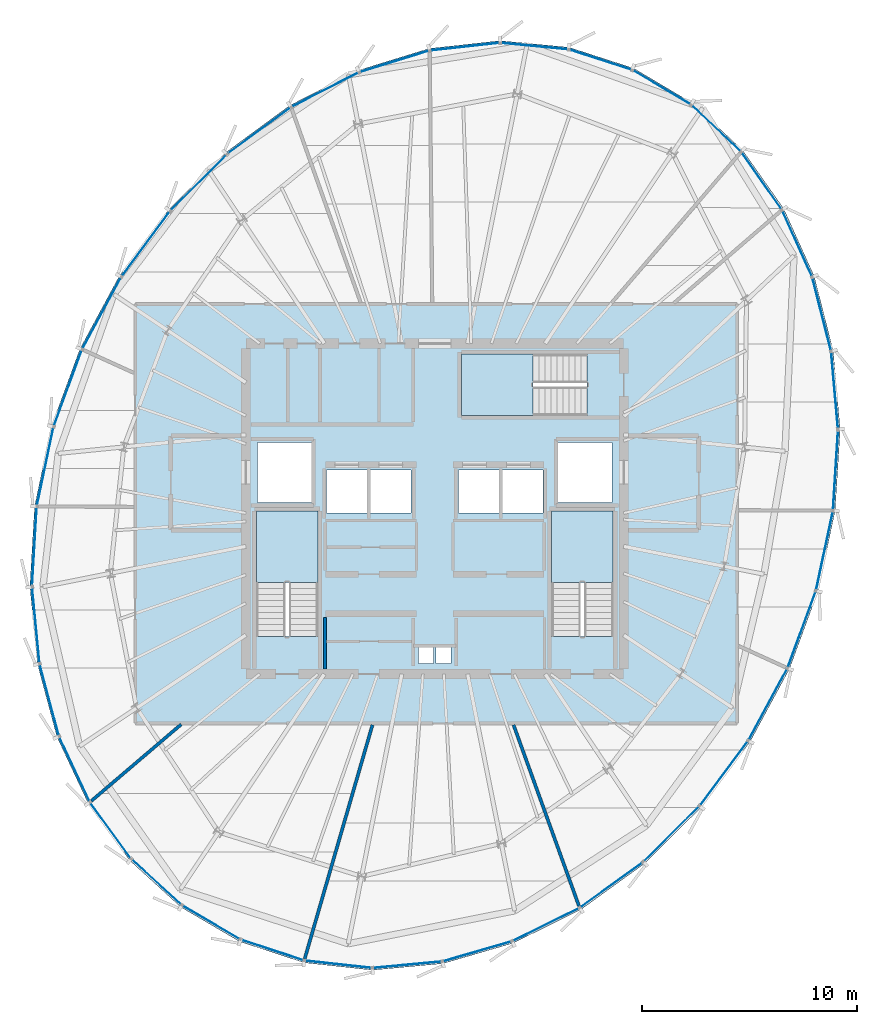
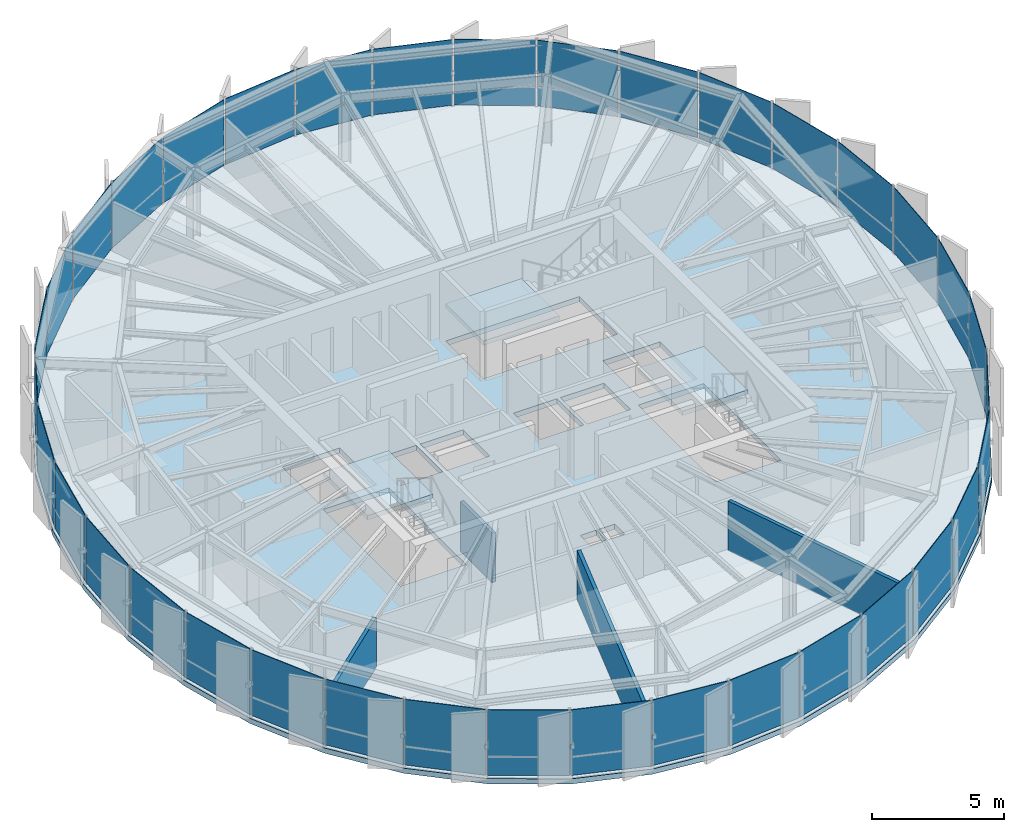
# One storey, part 23 of 30: 36 plates, 4 slabs, 4 walls, 9 elements without a shape of their own.
"""IFC4 building model written with IfcOpenShell, lengths in metres."""

import ifcopenshell
import ifcopenshell.guid

model = None  # the IFC model being written
_history = None  # IfcOwnerHistory: only IFC2X3 demands one
_inside = {}  # id of a spatial element -> (the spatial element, [elements in it])
_under = {}  # id of a project, library or spatial element -> (it, [spatial elements below it])
_declared = {}  # id of a project -> (the project, [libraries it declares])
_typed = {}  # id of a type object -> (the type object, [elements of that type])
_made_of = {}  # id of a material, layer set ... -> (it, [elements and type objects made of it])


def new_model(schema):
    """Start an empty IFC model of exactly this schema.

    Asked for "IFC4X3", IfcOpenShell would pick the latest addendum, in which some entities
    have other attributes; the version numbers below select the first issue.
    IFC2X3 requires an IfcOwnerHistory on every rooted entity: one is made here for all.
    """
    global model, _history
    if schema == "IFC4X3":
        model = ifcopenshell.file(schema_version=(4, 3, 0, 0))
    else:
        model = ifcopenshell.file(schema=schema)
    _inside.clear()
    _under.clear()
    _declared.clear()
    _typed.clear()
    _made_of.clear()
    _history = None
    if model.schema == "IFC2X3":
        org = make("IfcOrganization", Name="unknown")
        user = make(
            "IfcPersonAndOrganization",
            ThePerson=make("IfcPerson", FamilyName="unknown"),
            TheOrganization=org,
        )
        app = make(
            "IfcApplication",
            ApplicationDeveloper=org,
            Version="unknown",
            ApplicationFullName="unknown",
            ApplicationIdentifier="unknown",
        )
        _history = make(
            "IfcOwnerHistory",
            OwningUser=user,
            OwningApplication=app,
            ChangeAction="ADDED",
            CreationDate=0,
        )
    return model


def make(cls, **values):
    """One entity of the class cls with the attributes given. An attribute that is None is left unset."""
    return model.create_entity(
        cls, **{name: value for name, value in values.items() if value is not None}
    )


def rooted(cls, **values):
    """An entity with a GlobalId (a new one), such as an element, a storey or a relation."""
    return make(cls, GlobalId=ifcopenshell.guid.new(), OwnerHistory=_history, **values)


def si_unit(unit_type, name, prefix=None):
    """IfcSIUnit, for example si_unit("LENGTHUNIT", "METRE", prefix="MILLI")."""
    return make("IfcSIUnit", UnitType=unit_type, Prefix=prefix, Name=name)


def assignment(units):
    """IfcUnitAssignment: the units of a project."""
    return None if units is None else make("IfcUnitAssignment", Units=units)


def point(xyz):
    """IfcCartesianPoint."""
    return None if xyz is None else make("IfcCartesianPoint", Coordinates=xyz)


def direction(xyz):
    """IfcDirection."""
    return None if xyz is None else make("IfcDirection", DirectionRatios=xyz)


def frame(location, z_axis=None, x_axis=None):
    """IfcAxis2Placement3D, a coordinate frame: its origin and axes. An axis left out is left unset."""
    return make(
        "IfcAxis2Placement3D",
        Location=point(location),
        Axis=direction(z_axis),
        RefDirection=direction(x_axis),
    )


def frame_2d(location, x_axis=None):
    """IfcAxis2Placement2D, a coordinate frame in the plane: its origin and x axis."""
    return make(
        "IfcAxis2Placement2D", Location=point(location), RefDirection=direction(x_axis)
    )


def origin():
    """The frame at (0, 0, 0) with its axes left unset."""
    return frame((0.0, 0.0, 0.0))


def origin_2d():
    """The frame at (0, 0) in the plane with its x axis left unset."""
    return frame_2d((0.0, 0.0))


def place(relative_to, where):
    """IfcLocalPlacement: puts the frame where relative to a parent placement (None: the world)."""
    return make(
        "IfcLocalPlacement", PlacementRelTo=relative_to, RelativePlacement=where
    )


def context(
    kind, dimensions, precision=None, world=None, true_north=None, identifier=None
):
    """IfcGeometricRepresentationContext, for example the 3D "Model" context."""
    return make(
        "IfcGeometricRepresentationContext",
        ContextIdentifier=identifier,
        ContextType=kind,
        CoordinateSpaceDimension=dimensions,
        Precision=precision,
        WorldCoordinateSystem=world,
        TrueNorth=true_north,
    )


def subcontext(parent, identifier, kind, view, scale=None):
    """IfcGeometricRepresentationSubContext, for example "Body" below "Model"."""
    return make(
        "IfcGeometricRepresentationSubContext",
        ContextIdentifier=identifier,
        ContextType=kind,
        ParentContext=parent,
        TargetScale=scale,
        TargetView=view,
    )


def project(units=None, contexts=None):
    """IfcProject with its units and contexts."""
    return rooted(
        "IfcProject",
        Name="project",
        RepresentationContexts=contexts,
        UnitsInContext=assignment(units),
    )


def spatial(cls, under=None, at=None, **own):
    """A site, building, storey or space (cls), placed at a placement, below another one or the project."""
    s = rooted(cls, ObjectPlacement=at, **own)
    if under is not None:
        _under.setdefault(under.id(), (under, []))[1].append(s)
    return s


def polyline(points):
    """IfcPolyline through the points."""
    return make("IfcPolyline", Points=[point(p) for p in points])


def profile(cls, at=None, kind="AREA", **sizes):
    """A parametric profile (cls). Its sizes go by their IFC names, for example OverallWidth=200.0."""
    return make(cls, ProfileType=kind, Position=at, **sizes)


def rectangle(**sizes):
    """IfcRectangleProfileDef."""
    return profile("IfcRectangleProfileDef", **sizes)


def outline(outer, holes=None, kind="AREA"):
    """IfcArbitraryClosedProfileDef: a profile drawn as a closed curve; with holes, ...WithVoids."""
    if holes is None:
        return make("IfcArbitraryClosedProfileDef", ProfileType=kind, OuterCurve=outer)
    return make(
        "IfcArbitraryProfileDefWithVoids",
        ProfileType=kind,
        OuterCurve=outer,
        InnerCurves=holes,
    )


def extrude(swept, where, along, depth):
    """IfcExtrudedAreaSolid: the profile swept, set in the frame where, extruded along a direction by depth."""
    return make(
        "IfcExtrudedAreaSolid",
        SweptArea=swept,
        Position=where,
        ExtrudedDirection=direction(along),
        Depth=depth,
    )


def shape(context_of_items, identifier, shape_type, items):
    """IfcShapeRepresentation: the items that make up one representation, for example the "Body"."""
    return make(
        "IfcShapeRepresentation",
        ContextOfItems=context_of_items,
        RepresentationIdentifier=identifier,
        RepresentationType=shape_type,
        Items=items,
    )


def source(mapping_origin, context_of_items, identifier, shape_type, items):
    """IfcRepresentationMap: a shape defined once, which mapped items show again and again."""
    return make(
        "IfcRepresentationMap",
        MappingOrigin=mapping_origin,
        MappedRepresentation=shape(context_of_items, identifier, shape_type, items),
    )


def transform(
    local_origin,
    x_axis=None,
    y_axis=None,
    z_axis=None,
    scale=None,
    scale2=None,
    scale3=None,
    uniform=True,
):
    """IfcCartesianTransformationOperator3D, or its non-uniform kind. x_axis, y_axis, z_axis: its Axis1, 2, 3."""
    if uniform:
        return make(
            "IfcCartesianTransformationOperator3D",
            Axis1=direction(x_axis),
            Axis2=direction(y_axis),
            LocalOrigin=point(local_origin),
            Scale=scale,
            Axis3=direction(z_axis),
        )
    return make(
        "IfcCartesianTransformationOperator3DnonUniform",
        Axis1=direction(x_axis),
        Axis2=direction(y_axis),
        LocalOrigin=point(local_origin),
        Scale=scale,
        Axis3=direction(z_axis),
        Scale2=scale2,
        Scale3=scale3,
    )


def mapped(mapping_source, mapping_target):
    """IfcMappedItem: shows the shape of a source again, moved by a transform."""
    return make(
        "IfcMappedItem", MappingSource=mapping_source, MappingTarget=mapping_target
    )


def material(Name=None, Category=None):
    """IfcMaterial."""
    return make("IfcMaterial", Name=Name, Category=Category)


def layer(
    of_material, thickness, ventilated=None, Name=None, Category=None, Priority=None
):
    """IfcMaterialLayer: one layer of a wall or slab, of a material (None: an air gap)."""
    return make(
        "IfcMaterialLayer",
        Material=of_material,
        LayerThickness=thickness,
        IsVentilated=ventilated,
        Name=Name,
        Category=Category,
        Priority=Priority,
    )


def layer_set(layers, Name=None):
    """IfcMaterialLayerSet."""
    return make("IfcMaterialLayerSet", MaterialLayers=layers, LayerSetName=Name)


def made_of(thing, what):
    """Note that an element or type object is made of a material, layer set ...; save() writes the relation."""
    if what is not None:
        _made_of.setdefault(what.id(), (what, []))[1].append(thing)
    return thing


def type_object(cls, material=None, **own):
    """A type object (cls), such as IfcWallType, which elements share."""
    return made_of(rooted(cls, **own), material)


def element(
    cls,
    number,
    at=None,
    inside=None,
    cuts=None,
    type_object=None,
    material=None,
    context=None,
    identifier="Body",
    shape_type=None,
    held_by="IfcProductDefinitionShape",
    body=None,
    shapes=None,
    **own,
):
    """One element of the class cls, such as IfcWall. Its Tag is "e" and its number.

    at: its placement. inside: the storey or other place that contains it. cuts: it is an
    opening in that element (IfcRelVoidsElement). A single representation is given by context,
    identifier, shape_type and body (its items); several are given by shapes. held_by: the class
    of the entity that holds the representations. save() writes the other relations.
    """
    e = rooted(cls, Tag="e%d" % number, ObjectPlacement=at, **own)
    if body is not None:
        shapes = [shape(context, identifier, shape_type, body)]
    if shapes is not None:
        e.Representation = make(held_by, Representations=shapes)
    if inside is not None:
        _inside.setdefault(inside.id(), (inside, []))[1].append(e)
    if cuts is not None:
        rooted(
            "IfcRelVoidsElement", RelatingBuildingElement=cuts, RelatedOpeningElement=e
        )
    if type_object is not None:
        _typed.setdefault(type_object.id(), (type_object, []))[1].append(e)
    return made_of(e, material)


def aggregate(whole, parts):
    """IfcRelAggregates: a whole, such as a stair, and the parts it consists of."""
    return rooted("IfcRelAggregates", RelatingObject=whole, RelatedObjects=parts)


def save(model, path):
    """Write the relations noted so far, then the file.

    IfcRelAggregates (storeys below a building ...), IfcRelContainedInSpatialStructure (elements
    in a storey), IfcRelDefinesByType, IfcRelAssociatesMaterial and IfcRelDeclares: one each for
    every whole, place, type object, material and project.
    """
    for whole, parts in _under.values():
        aggregate(whole, parts)
    for where, things in _inside.values():
        rooted(
            "IfcRelContainedInSpatialStructure",
            RelatedElements=things,
            RelatingStructure=where,
        )
    for kind, things in _typed.values():
        rooted("IfcRelDefinesByType", RelatedObjects=things, RelatingType=kind)
    for what, things in _made_of.values():
        rooted("IfcRelAssociatesMaterial", RelatedObjects=things, RelatingMaterial=what)
    for by, libraries in _declared.values():
        rooted("IfcRelDeclares", RelatingContext=by, RelatedDefinitions=libraries)
    model.write(path)


model = new_model("IFC4")

# Units and contexts
model_context = context("Model", 3, precision=1e-05, world=origin(), true_north=direction((0.0, 1.0)))
body_context = subcontext(model_context, "Body", "Model", "MODEL_VIEW")
ifc_project = project(units=[si_unit("LENGTHUNIT", "METRE"), si_unit("AREAUNIT", "SQUARE_METRE"), si_unit("VOLUMEUNIT", "CUBIC_METRE"), si_unit("PLANEANGLEUNIT", "RADIAN"), si_unit("MASSUNIT", "GRAM", prefix="KILO"), si_unit("THERMODYNAMICTEMPERATUREUNIT", "KELVIN")], contexts=[model_context])

# Site, building, storey
site_placement = place(None, origin())
site = spatial("IfcSite", under=ifc_project, at=site_placement, CompositionType="ELEMENT")
building_placement = place(site_placement, origin())
building = spatial("IfcBuilding", under=site, at=building_placement, Name="Kethvar Cultural Tower", CompositionType="ELEMENT")
storey_placement = place(building_placement, frame((0.0, 0.0, 297.39990234375)))
storey = spatial("IfcBuildingStorey", under=building, at=storey_placement, Name="L79", CompositionType="ELEMENT", Elevation=297.39990234375)

# Stair, slab
ifc_material_1 = material(Name="Concrete C40/50", Category="concrete")
stair_type = type_object("IfcStairType", Name="ST-DOGLEG-135", PredefinedType="HALF_TURN_STAIR", material=ifc_material_1)
stair_1_placement = place(storey_placement, origin())
stair_1 = element("IfcStair", 1, at=stair_1_placement, inside=storey, type_object=stair_type, Name="L79 Core Exit Stair 1", PredefinedType="HALF_TURN_STAIR")
ifc_layer_1 = layer(ifc_material_1, 0.199951171875, Name="Concrete C40/50", Category="concrete")
ifc_layer_set_1 = layer_set([ifc_layer_1], Name="Concrete C40/50 (200 mm)")
slab_type_1 = type_object("IfcSlabType", Name="SL-STAIR-LANDING-200", PredefinedType="LANDING", material=ifc_layer_set_1)
slab_1_placement = place(storey_placement, frame((0.0, 0.0, 1.525146484375)))
slab_1 = element("IfcSlab", 2, at=slab_1_placement, type_object=slab_type_1, Name="ST-01 landing 1", PredefinedType="LANDING", context=body_context, shape_type="SweptSolid", body=[
    extrude(outline(polyline([(41.35009765625, 24.3701171875), (41.35009765625, 27.699951171875), (38.489990234375, 27.699951171875), (38.489990234375, 24.3701171875), (41.35009765625, 24.3701171875)])), origin(), (0.0, 0.0, 1.0), 0.199951171875),
])
aggregate(stair_1, [slab_1])

stair_2_placement = place(storey_placement, origin())
stair_2 = element("IfcStair", 3, at=stair_2_placement, inside=storey, type_object=stair_type, Name="L79 Core Exit Stair 2", PredefinedType="HALF_TURN_STAIR")
slab_2_placement = place(storey_placement, frame((0.0, 0.0, 1.525146484375)))
slab_2 = element("IfcSlab", 4, at=slab_2_placement, type_object=slab_type_1, Name="ST-02 landing 1", PredefinedType="LANDING", context=body_context, shape_type="SweptSolid", body=[
    extrude(outline(polyline([(55.110107421875, 24.3701171875), (55.110107421875, 27.699951171875), (52.25, 27.699951171875), (52.25, 24.3701171875), (55.110107421875, 24.3701171875)])), origin(), (0.0, 0.0, 1.0), 0.199951171875),
])
aggregate(stair_2, [slab_2])

stair_3_placement = place(storey_placement, origin())
stair_3 = element("IfcStair", 5, at=stair_3_placement, inside=storey, type_object=stair_type, Name="L79 Core Exit Stair 3", PredefinedType="HALF_TURN_STAIR")
slab_3_placement = place(storey_placement, frame((0.0, 0.0, 1.525146484375)))
slab_3 = element("IfcSlab", 6, at=slab_3_placement, type_object=slab_type_1, Name="ST-03 landing 1", PredefinedType="LANDING", context=body_context, shape_type="SweptSolid", body=[
    extrude(outline(polyline([(51.3798828125, 35.010009765625), (48.050048828125, 35.010009765625), (48.050048828125, 32.14990234375), (51.3798828125, 32.14990234375), (51.3798828125, 35.010009765625)])), origin(), (0.0, 0.0, 1.0), 0.199951171875),
])
aggregate(stair_3, [slab_3])

# Slab
ifc_layer_2 = layer(ifc_material_1, 0.239990234375, Name="Concrete C40/50", Category="concrete")
ifc_layer_set_2 = layer_set([ifc_layer_2], Name="Concrete C40/50 (240 mm)")
slab_type_2 = type_object("IfcSlabType", Name="SL-TOW-240", PredefinedType="FLOOR", material=ifc_layer_set_2)
slab_4_placement = place(storey_placement, frame((0.0, 0.0, -0.239990234375)))
element("IfcSlab", 7, at=slab_4_placement, inside=storey, type_object=slab_type_2, Name="L79 Structural Floor Slab", PredefinedType="FLOOR", context=body_context, shape_type="SweptSolid", body=[
    extrude(outline(polyline([(56.069091796875, 48.32861328125), (53.05419921875, 49.304443359375), (49.8427734375, 49.61279296875), (46.53466796875, 49.248779296875), (43.233642578125, 48.231201171875), (40.044189453125, 46.599365234375), (37.06591796875, 44.409912109375), (34.39208984375, 41.73486328125), (32.104248046875, 38.65625), (30.27001953125, 35.263427734375), (28.940185546875, 31.648681640625), (28.153076171875, 27.9169921875), (27.9326171875, 24.181640625), (28.28515625, 20.556396484375), (29.200439453125, 17.15087890625), (30.650390625, 14.0693359375), (32.591064453125, 11.40478515625), (34.96337890625, 9.23828125), (37.695556640625, 7.635986328125), (40.704345703125, 6.646240234375), (43.898193359375, 6.29931640625), (47.180419921875, 6.605712890625), (50.450927734375, 7.555908203125), (53.610595703125, 9.12158203125), (56.56298828125, 11.25439453125), (59.21923828125, 13.89013671875), (61.497802734375, 16.948486328125), (63.329833984375, 20.33642578125), (64.661865234375, 23.955810546875), (65.458251953125, 27.7080078125), (65.696533203125, 31.48291015625), (65.369384765625, 35.16455078125), (64.484130859375, 38.63623046875), (63.064453125, 41.78515625), (61.14990234375, 44.50732421875), (58.794921875, 46.71240234375), (56.069091796875, 48.32861328125)]), holes=[polyline([(38.489990234375, 21.85009765625), (38.489990234375, 27.699951171875), (41.35009765625, 27.699951171875), (41.35009765625, 21.85009765625), (38.489990234375, 21.85009765625)]), polyline([(52.25, 21.85009765625), (52.25, 27.699951171875), (55.110107421875, 27.699951171875), (55.110107421875, 21.85009765625), (52.25, 21.85009765625)]), polyline([(53.89990234375, 32.14990234375), (48.050048828125, 32.14990234375), (48.050048828125, 35.010009765625), (53.89990234375, 35.010009765625), (53.89990234375, 32.14990234375)]), polyline([(41.75, 29.60009765625), (43.64990234375, 29.60009765625), (43.64990234375, 27.60009765625), (41.75, 27.60009765625), (41.75, 29.60009765625)]), polyline([(43.800048828125, 29.60009765625), (45.699951171875, 29.60009765625), (45.699951171875, 27.60009765625), (43.800048828125, 27.60009765625), (43.800048828125, 29.60009765625)]), polyline([(47.89990234375, 29.60009765625), (49.800048828125, 29.60009765625), (49.800048828125, 27.60009765625), (47.89990234375, 27.60009765625), (47.89990234375, 29.60009765625)]), polyline([(49.949951171875, 29.60009765625), (51.85009765625, 29.60009765625), (51.85009765625, 27.60009765625), (49.949951171875, 27.60009765625), (49.949951171875, 29.60009765625)]), polyline([(38.550048828125, 30.89990234375), (41.050048828125, 30.89990234375), (41.050048828125, 28.10009765625), (38.550048828125, 28.10009765625), (38.550048828125, 30.89990234375)]), polyline([(52.550048828125, 30.89990234375), (55.050048828125, 30.89990234375), (55.050048828125, 28.10009765625), (52.550048828125, 28.10009765625), (52.550048828125, 30.89990234375)]), polyline([(46.050048828125, 21.35009765625), (46.75, 21.35009765625), (46.75, 20.60009765625), (46.050048828125, 20.60009765625), (46.050048828125, 21.35009765625)]), polyline([(46.85009765625, 21.35009765625), (47.550048828125, 21.35009765625), (47.550048828125, 20.60009765625), (46.85009765625, 20.60009765625), (46.85009765625, 21.35009765625)])]), origin(), (0.0, 0.0, 1.0), 0.239990234375),
])

# Curtain wall, plate
ifc_material_2 = material(Name="Aluminium 6063-T6", Category="aluminium")
ifc_layer_3 = layer(ifc_material_2, 0.179931640625, Name="Aluminium 6063-T6", Category="aluminium")
ifc_layer_set_3 = layer_set([ifc_layer_3], Name="Aluminium 6063-T6 (180 mm)")
curtain_wall_type = type_object("IfcCurtainWallType", Name="CW-SYS-05-Z56", PredefinedType="NOTDEFINED", material=ifc_layer_set_3)
curtain_wall_1_placement = place(storey_placement, origin())
curtain_wall_1 = element("IfcCurtainWall", 8, at=curtain_wall_1_placement, inside=storey, type_object=curtain_wall_type, Name="L79 Curtain Wall Run 02", PredefinedType="NOTDEFINED")
ifc_material_3 = material(Name="Insulated Low-E Solar Glass", Category="glass")
ifc_layer_4 = layer(ifc_material_3, 0.028076171875, Name="Insulated Low-E Solar Glass", Category="glass")
ifc_layer_set_4 = layer_set([ifc_layer_4], Name="Insulated Low-E Solar Glass (28 mm)")
plate_type = type_object("IfcPlateType", Name="CW-SYS-05-Z56-PNL", PredefinedType="CURTAIN_PANEL", material=ifc_layer_set_4)
shared_shape_1 = source(origin(), body_context, "Body", "SweptSolid", [
    extrude(rectangle(XDim=3.7724609375, YDim=0.028076171875, at=origin_2d()), origin(), (0.0, 0.0, 1.0), 3.030029296875),
])
plate_1_placement = place(storey_placement, frame((29.698974609375, 33.42138671875, 0.08984375), z_axis=(0.0, 0.0, 1.0), x_axis=(-0.345249059145, -0.938511101245, 0.0)))
plate_1 = element("IfcPlate", 9, at=plate_1_placement, type_object=plate_type, Name="CW-L79-R02 Vision Glazing Panel 4", PredefinedType="CURTAIN_PANEL", context=body_context, shape_type="MappedRepresentation", body=[
    mapped(shared_shape_1, transform((0.0, 0.0, 0.0), scale=1.0)),
])

curtain_wall_2_placement = place(storey_placement, origin())
curtain_wall_2 = element("IfcCurtainWall", 10, at=curtain_wall_2_placement, inside=storey, type_object=curtain_wall_type, Name="L79 Curtain Wall Run 05", PredefinedType="NOTDEFINED")
plate_2_placement = place(storey_placement, frame((62.325927734375, 18.68994140625, 0.08984375), z_axis=(0.0, 0.0, 1.0), x_axis=(0.475654914308, 0.879631969914, 0.0)))
plate_2 = element("IfcPlate", 11, at=plate_2_placement, type_object=plate_type, Name="CW-L79-R05 Vision Glazing Panel 3", PredefinedType="CURTAIN_PANEL", context=body_context, shape_type="MappedRepresentation", body=[
    mapped(shared_shape_1, transform((0.0, 0.0, 0.0), scale=1.0)),
])

curtain_wall_3_placement = place(storey_placement, origin())
curtain_wall_3 = element("IfcCurtainWall", 12, at=curtain_wall_3_placement, inside=storey, type_object=curtain_wall_type, Name="L79 Curtain Wall Run 01", PredefinedType="NOTDEFINED")
shared_shape_2 = source(origin(), body_context, "Body", "SweptSolid", [
    extrude(rectangle(XDim=3.089599609375, YDim=0.028076171875, at=origin_2d()), origin(), (0.0, 0.0, 1.0), 3.030029296875),
])
plate_3_placement = place(storey_placement, frame((54.53076171875, 48.721435546875, 0.08984375), z_axis=(0.0, 0.0, 1.0), x_axis=(-0.951390347978, 0.307987671464, 0.0)))
plate_3 = element("IfcPlate", 13, at=plate_3_placement, type_object=plate_type, Name="CW-L79-R01 Vision Glazing Panel 1", PredefinedType="CURTAIN_PANEL", context=body_context, shape_type="MappedRepresentation", body=[
    mapped(shared_shape_2, transform((0.0, 0.0, 0.0), scale=1.0)),
])

curtain_wall_4_placement = place(storey_placement, origin())
curtain_wall_4 = element("IfcCurtainWall", 14, at=curtain_wall_4_placement, inside=storey, type_object=curtain_wall_type, Name="L79 Curtain Wall Run 06", PredefinedType="NOTDEFINED")
plate_4_placement = place(storey_placement, frame((57.380859375, 47.4345703125, 0.08984375), z_axis=(0.0, 0.0, 1.0), x_axis=(-0.860199587916, 0.509957516808, 0.0)))
plate_4 = element("IfcPlate", 15, at=plate_4_placement, type_object=plate_type, Name="CW-L79-R06 Vision Glazing Panel 6", PredefinedType="CURTAIN_PANEL", context=body_context, shape_type="MappedRepresentation", body=[
    mapped(shared_shape_2, transform((0.0, 0.0, 0.0), scale=1.0)),
])

# Plate
shared_shape_3 = source(origin(), body_context, "Body", "SweptSolid", [
    extrude(rectangle(XDim=3.14697265625, YDim=0.028076171875, at=origin_2d()), origin(), (0.0, 0.0, 1.0), 3.030029296875),
])
plate_5_placement = place(storey_placement, frame((51.43896484375, 49.35888671875, 0.08984375), z_axis=(0.0, 0.0, 1.0), x_axis=(-0.995426260077, 0.095533034857, 0.0)))
plate_5 = element("IfcPlate", 16, at=plate_5_placement, type_object=plate_type, Name="CW-L79-R01 Vision Glazing Panel 2", PredefinedType="CURTAIN_PANEL", context=body_context, shape_type="MappedRepresentation", body=[
    mapped(shared_shape_3, transform((0.0, 0.0, 0.0), scale=1.0)),
])

plate_6_placement = place(storey_placement, frame((59.904052734375, 45.536865234375, 0.08984375), z_axis=(0.0, 0.0, 1.0), x_axis=(-0.729923724601, 0.683528606764, 0.0)))
plate_6 = element("IfcPlate", 17, at=plate_6_placement, type_object=plate_type, Name="CW-L79-R06 Vision Glazing Panel 5", PredefinedType="CURTAIN_PANEL", context=body_context, shape_type="MappedRepresentation", body=[
    mapped(shared_shape_3, transform((0.0, 0.0, 0.0), scale=1.0)),
])

shared_shape_4 = source(origin(), body_context, "Body", "SweptSolid", [
    extrude(rectangle(XDim=3.248779296875, YDim=0.028076171875, at=origin_2d()), origin(), (0.0, 0.0, 1.0), 3.030029296875),
])
plate_7_placement = place(storey_placement, frame((48.19970703125, 49.331298828125, 0.08984375), z_axis=(0.0, 0.0, 1.0), x_axis=(-0.994001108417, -0.109369998011, 0.0)))
plate_7 = element("IfcPlate", 18, at=plate_7_placement, type_object=plate_type, Name="CW-L79-R01 Vision Glazing Panel 3", PredefinedType="CURTAIN_PANEL", context=body_context, shape_type="MappedRepresentation", body=[
    mapped(shared_shape_4, transform((0.0, 0.0, 0.0), scale=1.0)),
])

plate_8_placement = place(storey_placement, frame((62.025390625, 43.0888671875, 0.08984375), z_axis=(0.0, 0.0, 1.0), x_axis=(-0.575319356587, 0.817928870952, 0.0)))
plate_8 = element("IfcPlate", 19, at=plate_8_placement, type_object=plate_type, Name="CW-L79-R06 Vision Glazing Panel 4", PredefinedType="CURTAIN_PANEL", context=body_context, shape_type="MappedRepresentation", body=[
    mapped(shared_shape_4, transform((0.0, 0.0, 0.0), scale=1.0)),
])

shared_shape_5 = source(origin(), body_context, "Body", "SweptSolid", [
    extrude(rectangle(XDim=3.375, YDim=0.028076171875, at=origin_2d()), origin(), (0.0, 0.0, 1.0), 3.030029296875),
])
plate_9_placement = place(storey_placement, frame((44.91357421875, 48.644287109375, 0.08984375), z_axis=(0.0, 0.0, 1.0), x_axis=(-0.95562864264, -0.294574094867, 0.0)))
plate_9 = element("IfcPlate", 20, at=plate_9_placement, type_object=plate_type, Name="CW-L79-R01 Vision Glazing Panel 4", PredefinedType="CURTAIN_PANEL", context=body_context, shape_type="MappedRepresentation", body=[
    mapped(shared_shape_5, transform((0.0, 0.0, 0.0), scale=1.0)),
])

plate_10_placement = place(storey_placement, frame((63.68310546875, 40.169677734375, 0.08984375), z_axis=(0.0, 0.0, 1.0), x_axis=(-0.410989359775, 0.911640140709, 0.0)))
plate_10 = element("IfcPlate", 21, at=plate_10_placement, type_object=plate_type, Name="CW-L79-R06 Vision Glazing Panel 3", PredefinedType="CURTAIN_PANEL", context=body_context, shape_type="MappedRepresentation", body=[
    mapped(shared_shape_5, transform((0.0, 0.0, 0.0), scale=1.0)),
])

shared_shape_6 = source(origin(), body_context, "Body", "SweptSolid", [
    extrude(rectangle(XDim=3.503662109375, YDim=0.028076171875, at=origin_2d()), origin(), (0.0, 0.0, 1.0), 3.030029296875),
])
plate_11_placement = place(storey_placement, frame((41.684326171875, 47.326171875, 0.08984375), z_axis=(0.0, 0.0, 1.0), x_axis=(-0.890244605476, -0.455482757545, 0.0)))
plate_11 = element("IfcPlate", 22, at=plate_11_placement, type_object=plate_type, Name="CW-L79-R01 Vision Glazing Panel 5", PredefinedType="CURTAIN_PANEL", context=body_context, shape_type="MappedRepresentation", body=[
    mapped(shared_shape_6, transform((0.0, 0.0, 0.0), scale=1.0)),
])

plate_12_placement = place(storey_placement, frame((64.829833984375, 36.875732421875, 0.08984375), z_axis=(0.0, 0.0, 1.0), x_axis=(-0.247083574357, 0.968994172987, 0.0)))
plate_12 = element("IfcPlate", 23, at=plate_12_placement, type_object=plate_type, Name="CW-L79-R06 Vision Glazing Panel 2", PredefinedType="CURTAIN_PANEL", context=body_context, shape_type="MappedRepresentation", body=[
    mapped(shared_shape_6, transform((0.0, 0.0, 0.0), scale=1.0)),
])

shared_shape_7 = source(origin(), body_context, "Body", "SweptSolid", [
    extrude(rectangle(XDim=3.616943359375, YDim=0.028076171875, at=origin_2d()), origin(), (0.0, 0.0, 1.0), 3.030029296875),
])
plate_13_placement = place(storey_placement, frame((38.6142578125, 45.424072265625, 0.08984375), z_axis=(0.0, 0.0, 1.0), x_axis=(-0.805711243958, -0.592308527171, 0.0)))
plate_13 = element("IfcPlate", 24, at=plate_13_placement, type_object=plate_type, Name="CW-L79-R01 Vision Glazing Panel 6", PredefinedType="CURTAIN_PANEL", context=body_context, shape_type="MappedRepresentation", body=[
    mapped(shared_shape_7, transform((0.0, 0.0, 0.0), scale=1.0)),
])

aggregate(curtain_wall_3, [plate_3, plate_5, plate_7, plate_9, plate_11, plate_13])

plate_14_placement = place(storey_placement, frame((65.433349609375, 33.314697265625, 0.08984375), z_axis=(0.0, 0.0, 1.0), x_axis=(-0.088529222786, 0.996073579969, 0.0)))
plate_14 = element("IfcPlate", 25, at=plate_14_placement, type_object=plate_type, Name="CW-L79-R06 Vision Glazing Panel 1", PredefinedType="CURTAIN_PANEL", context=body_context, shape_type="MappedRepresentation", body=[
    mapped(shared_shape_7, transform((0.0, 0.0, 0.0), scale=1.0)),
])

aggregate(curtain_wall_4, [plate_14, plate_12, plate_10, plate_8, plate_6, plate_4])

shared_shape_8 = source(origin(), body_context, "Body", "SweptSolid", [
    extrude(rectangle(XDim=3.703125, YDim=0.028076171875, at=origin_2d()), origin(), (0.0, 0.0, 1.0), 3.030029296875),
])
plate_15_placement = place(storey_placement, frame((35.7998046875, 43.001708984375, 0.08984375), z_axis=(0.0, 0.0, 1.0), x_axis=(-0.706946325547, -0.707267200424, 0.0)))
plate_15 = element("IfcPlate", 26, at=plate_15_placement, type_object=plate_type, Name="CW-L79-R02 Vision Glazing Panel 1", PredefinedType="CURTAIN_PANEL", context=body_context, shape_type="MappedRepresentation", body=[
    mapped(shared_shape_8, transform((0.0, 0.0, 0.0), scale=1.0)),
])

plate_16_placement = place(storey_placement, frame((65.4775390625, 29.601806640625, 0.08984375), z_axis=(0.0, 0.0, 1.0), x_axis=(0.063034381587, 0.998011356017, 0.0)))
plate_16 = element("IfcPlate", 27, at=plate_16_placement, type_object=plate_type, Name="CW-L79-R05 Vision Glazing Panel 6", PredefinedType="CURTAIN_PANEL", context=body_context, shape_type="MappedRepresentation", body=[
    mapped(shared_shape_8, transform((0.0, 0.0, 0.0), scale=1.0)),
])

shared_shape_9 = source(origin(), body_context, "Body", "SweptSolid", [
    extrude(rectangle(XDim=3.756591796875, YDim=0.028076171875, at=origin_2d()), origin(), (0.0, 0.0, 1.0), 3.030029296875),
])
plate_17_placement = place(storey_placement, frame((33.328369140625, 40.135986328125, 0.08984375), z_axis=(0.0, 0.0, 1.0), x_axis=(-0.596463049458, -0.802640536374, 0.0)))
plate_17 = element("IfcPlate", 28, at=plate_17_placement, type_object=plate_type, Name="CW-L79-R02 Vision Glazing Panel 2", PredefinedType="CURTAIN_PANEL", context=body_context, shape_type="MappedRepresentation", body=[
    mapped(shared_shape_9, transform((0.0, 0.0, 0.0), scale=1.0)),
])

plate_18_placement = place(storey_placement, frame((64.962158203125, 25.852783203125, 0.08984375), z_axis=(0.0, 0.0, 1.0), x_axis=(0.207621459435, 0.978209246318, 0.0)))
plate_18 = element("IfcPlate", 29, at=plate_18_placement, type_object=plate_type, Name="CW-L79-R05 Vision Glazing Panel 5", PredefinedType="CURTAIN_PANEL", context=body_context, shape_type="MappedRepresentation", body=[
    mapped(shared_shape_9, transform((0.0, 0.0, 0.0), scale=1.0)),
])

shared_shape_10 = source(origin(), body_context, "Body", "SweptSolid", [
    extrude(rectangle(XDim=3.777587890625, YDim=0.028076171875, at=origin_2d()), origin(), (0.0, 0.0, 1.0), 3.030029296875),
])
plate_19_placement = place(storey_placement, frame((31.275146484375, 36.912353515625, 0.08984375), z_axis=(0.0, 0.0, 1.0), x_axis=(-0.475562796856, -0.879681775557, 0.0)))
plate_19 = element("IfcPlate", 30, at=plate_19_placement, type_object=plate_type, Name="CW-L79-R02 Vision Glazing Panel 3", PredefinedType="CURTAIN_PANEL", context=body_context, shape_type="MappedRepresentation", body=[
    mapped(shared_shape_10, transform((0.0, 0.0, 0.0), scale=1.0)),
])

plate_20_placement = place(storey_placement, frame((63.902099609375, 22.1806640625, 0.08984375), z_axis=(0.0, 0.0, 1.0), x_axis=(0.345347337905, 0.938474941702, 0.0)))
plate_20 = element("IfcPlate", 31, at=plate_20_placement, type_object=plate_type, Name="CW-L79-R05 Vision Glazing Panel 4", PredefinedType="CURTAIN_PANEL", context=body_context, shape_type="MappedRepresentation", body=[
    mapped(shared_shape_10, transform((0.0, 0.0, 0.0), scale=1.0)),
])

shared_shape_11 = source(origin(), body_context, "Body", "SweptSolid", [
    extrude(rectangle(XDim=3.734619140625, YDim=0.028076171875, at=origin_2d()), origin(), (0.0, 0.0, 1.0), 3.030029296875),
])
plate_21_placement = place(storey_placement, frame((28.64453125, 29.76220703125, 0.08984375), z_axis=(0.0, 0.0, 1.0), x_axis=(-0.206409119315, -0.978465776337, 0.0)))
plate_21 = element("IfcPlate", 32, at=plate_21_placement, type_object=plate_type, Name="CW-L79-R02 Vision Glazing Panel 5", PredefinedType="CURTAIN_PANEL", context=body_context, shape_type="MappedRepresentation", body=[
    mapped(shared_shape_11, transform((0.0, 0.0, 0.0), scale=1.0)),
])

plate_22_placement = place(storey_placement, frame((60.2783203125, 15.47900390625, 0.08984375), z_axis=(0.0, 0.0, 1.0), x_axis=(0.597457210371, 0.801900792976, 0.0)))
plate_22 = element("IfcPlate", 33, at=plate_22_placement, type_object=plate_type, Name="CW-L79-R05 Vision Glazing Panel 2", PredefinedType="CURTAIN_PANEL", context=body_context, shape_type="MappedRepresentation", body=[
    mapped(shared_shape_11, transform((0.0, 0.0, 0.0), scale=1.0)),
])

shared_shape_12 = source(origin(), body_context, "Body", "SweptSolid", [
    extrude(rectangle(XDim=3.662841796875, YDim=0.028076171875, at=origin_2d()), origin(), (0.0, 0.0, 1.0), 3.030029296875),
])
plate_23_placement = place(storey_placement, frame((28.142578125, 26.04345703125, 0.08984375), z_axis=(0.0, 0.0, 1.0), x_axis=(-0.058957918535, -0.998260468937, 0.0)))
plate_23 = element("IfcPlate", 34, at=plate_23_placement, type_object=plate_type, Name="CW-L79-R02 Vision Glazing Panel 6", PredefinedType="CURTAIN_PANEL", context=body_context, shape_type="MappedRepresentation", body=[
    mapped(shared_shape_12, transform((0.0, 0.0, 0.0), scale=1.0)),
])

aggregate(curtain_wall_1, [plate_15, plate_17, plate_19, plate_1, plate_21, plate_23])

# Curtain wall, plate
curtain_wall_5_placement = place(storey_placement, origin())
curtain_wall_5 = element("IfcCurtainWall", 35, at=curtain_wall_5_placement, inside=storey, type_object=curtain_wall_type, Name="L79 Curtain Wall Run 03", PredefinedType="NOTDEFINED")
shared_shape_13 = source(origin(), body_context, "Body", "SweptSolid", [
    extrude(rectangle(XDim=3.563232421875, YDim=0.028076171875, at=origin_2d()), origin(), (0.0, 0.0, 1.0), 3.030029296875),
])
plate_24_placement = place(storey_placement, frame((28.20849609375, 22.378662109375, 0.08984375), z_axis=(0.0, 0.0, 1.0), x_axis=(0.096835962566, -0.995300354845, 0.0)))
plate_24 = element("IfcPlate", 36, at=plate_24_placement, type_object=plate_type, Name="CW-L79-R03 Vision Glazing Panel 1", PredefinedType="CURTAIN_PANEL", context=body_context, shape_type="MappedRepresentation", body=[
    mapped(shared_shape_13, transform((0.0, 0.0, 0.0), scale=1.0)),
])

curtain_wall_6_placement = place(storey_placement, origin())
curtain_wall_6 = element("IfcCurtainWall", 37, at=curtain_wall_6_placement, inside=storey, type_object=curtain_wall_type, Name="L79 Curtain Wall Run 04", PredefinedType="NOTDEFINED")
plate_25_placement = place(storey_placement, frame((55.0283203125, 10.26904296875, 0.08984375), z_axis=(0.0, 0.0, 1.0), x_axis=(0.810614364629, 0.585580354739, 0.0)))
plate_25 = element("IfcPlate", 38, at=plate_25_placement, type_object=plate_type, Name="CW-L79-R04 Vision Glazing Panel 6", PredefinedType="CURTAIN_PANEL", context=body_context, shape_type="MappedRepresentation", body=[
    mapped(shared_shape_13, transform((0.0, 0.0, 0.0), scale=1.0)),
])

# Plate
shared_shape_14 = source(origin(), body_context, "Body", "SweptSolid", [
    extrude(rectangle(XDim=3.447021484375, YDim=0.028076171875, at=origin_2d()), origin(), (0.0, 0.0, 1.0), 3.030029296875),
])
plate_26_placement = place(storey_placement, frame((28.83935546875, 18.879638671875, 0.08984375), z_axis=(0.0, 0.0, 1.0), x_axis=(0.259543891344, -0.965731312771, 0.0)))
plate_26 = element("IfcPlate", 39, at=plate_26_placement, type_object=plate_type, Name="CW-L79-R03 Vision Glazing Panel 2", PredefinedType="CURTAIN_PANEL", context=body_context, shape_type="MappedRepresentation", body=[
    mapped(shared_shape_14, transform((0.0, 0.0, 0.0), scale=1.0)),
])

plate_27_placement = place(storey_placement, frame((51.986328125, 8.428466796875, 0.08984375), z_axis=(0.0, 0.0, 1.0), x_axis=(0.896045202916, 0.443962829898, 0.0)))
plate_27 = element("IfcPlate", 40, at=plate_27_placement, type_object=plate_type, Name="CW-L79-R04 Vision Glazing Panel 5", PredefinedType="CURTAIN_PANEL", context=body_context, shape_type="MappedRepresentation", body=[
    mapped(shared_shape_14, transform((0.0, 0.0, 0.0), scale=1.0)),
])

shared_shape_15 = source(origin(), body_context, "Body", "SweptSolid", [
    extrude(rectangle(XDim=3.32666015625, YDim=0.028076171875, at=origin_2d()), origin(), (0.0, 0.0, 1.0), 3.030029296875),
])
plate_28_placement = place(storey_placement, frame((30.015869140625, 15.652587890625, 0.08984375), z_axis=(0.0, 0.0, 1.0), x_axis=(0.425747706883, -0.904841914416, 0.0)))
plate_28 = element("IfcPlate", 41, at=plate_28_placement, type_object=plate_type, Name="CW-L79-R03 Vision Glazing Panel 3", PredefinedType="CURTAIN_PANEL", context=body_context, shape_type="MappedRepresentation", body=[
    mapped(shared_shape_15, transform((0.0, 0.0, 0.0), scale=1.0)),
])

plate_29_placement = place(storey_placement, frame((48.78759765625, 7.177001953125, 0.08984375), z_axis=(0.0, 0.0, 1.0), x_axis=(0.960283946465, 0.279024626442, 0.0)))
plate_29 = element("IfcPlate", 42, at=plate_29_placement, type_object=plate_type, Name="CW-L79-R04 Vision Glazing Panel 4", PredefinedType="CURTAIN_PANEL", context=body_context, shape_type="MappedRepresentation", body=[
    mapped(shared_shape_15, transform((0.0, 0.0, 0.0), scale=1.0)),
])

shared_shape_16 = source(origin(), body_context, "Body", "SweptSolid", [
    extrude(rectangle(XDim=3.21728515625, YDim=0.028076171875, at=origin_2d()), origin(), (0.0, 0.0, 1.0), 3.030029296875),
])
plate_30_placement = place(storey_placement, frame((31.70166015625, 12.7958984375, 0.08984375), z_axis=(0.0, 0.0, 1.0), x_axis=(0.588744998802, -0.808318827188, 0.0)))
plate_30 = element("IfcPlate", 43, at=plate_30_placement, type_object=plate_type, Name="CW-L79-R03 Vision Glazing Panel 4", PredefinedType="CURTAIN_PANEL", context=body_context, shape_type="MappedRepresentation", body=[
    mapped(shared_shape_16, transform((0.0, 0.0, 0.0), scale=1.0)),
])

plate_31_placement = place(storey_placement, frame((45.52978515625, 6.552001953125, 0.08984375), z_axis=(0.0, 0.0, 1.0), x_axis=(0.995672953422, 0.092926690593, 0.0)))
plate_31 = element("IfcPlate", 44, at=plate_31_placement, type_object=plate_type, Name="CW-L79-R04 Vision Glazing Panel 3", PredefinedType="CURTAIN_PANEL", context=body_context, shape_type="MappedRepresentation", body=[
    mapped(shared_shape_16, transform((0.0, 0.0, 0.0), scale=1.0)),
])

shared_shape_17 = source(origin(), body_context, "Body", "SweptSolid", [
    extrude(rectangle(XDim=3.133544921875, YDim=0.028076171875, at=origin_2d()), origin(), (0.0, 0.0, 1.0), 3.030029296875),
])
plate_32_placement = place(storey_placement, frame((33.8447265625, 10.3955078125, 0.08984375), z_axis=(0.0, 0.0, 1.0), x_axis=(0.738443571717, -0.674315275958, 0.0)))
plate_32 = element("IfcPlate", 45, at=plate_32_placement, type_object=plate_type, Name="CW-L79-R03 Vision Glazing Panel 5", PredefinedType="CURTAIN_PANEL", context=body_context, shape_type="MappedRepresentation", body=[
    mapped(shared_shape_17, transform((0.0, 0.0, 0.0), scale=1.0)),
])

shared_shape_18 = source(origin(), body_context, "Body", "SweptSolid", [
    extrude(rectangle(XDim=3.088134765625, YDim=0.028076171875, at=origin_2d()), origin(), (0.0, 0.0, 1.0), 3.030029296875),
])
plate_33_placement = place(storey_placement, frame((36.380126953125, 8.5234375, 0.08984375), z_axis=(0.0, 0.0, 1.0), x_axis=(0.862584316442, -0.505913329562, 0.0)))
plate_33 = element("IfcPlate", 46, at=plate_33_placement, type_object=plate_type, Name="CW-L79-R03 Vision Glazing Panel 6", PredefinedType="CURTAIN_PANEL", context=body_context, shape_type="MappedRepresentation", body=[
    mapped(shared_shape_18, transform((0.0, 0.0, 0.0), scale=1.0)),
])

aggregate(curtain_wall_5, [plate_24, plate_26, plate_28, plate_30, plate_32, plate_33])

shared_shape_19 = source(origin(), body_context, "Body", "SweptSolid", [
    extrude(rectangle(XDim=3.087890625, YDim=0.028076171875, at=origin_2d()), origin(), (0.0, 0.0, 1.0), 3.030029296875),
])
plate_34_placement = place(storey_placement, frame((39.231201171875, 7.236083984375, 0.08984375), z_axis=(0.0, 0.0, 1.0), x_axis=(0.949928432083, -0.312467556588, 0.0)))
plate_34 = element("IfcPlate", 47, at=plate_34_placement, type_object=plate_type, Name="CW-L79-R04 Vision Glazing Panel 1", PredefinedType="CURTAIN_PANEL", context=body_context, shape_type="MappedRepresentation", body=[
    mapped(shared_shape_19, transform((0.0, 0.0, 0.0), scale=1.0)),
])

shared_shape_20 = source(origin(), body_context, "Body", "SweptSolid", [
    extrude(rectangle(XDim=3.13330078125, YDim=0.028076171875, at=origin_2d()), origin(), (0.0, 0.0, 1.0), 3.030029296875),
])
plate_35_placement = place(storey_placement, frame((42.31201171875, 6.572265625, 0.08984375), z_axis=(0.0, 0.0, 1.0), x_axis=(0.994152848765, -0.107982004482, 0.0)))
plate_35 = element("IfcPlate", 48, at=plate_35_placement, type_object=plate_type, Name="CW-L79-R04 Vision Glazing Panel 2", PredefinedType="CURTAIN_PANEL", context=body_context, shape_type="MappedRepresentation", body=[
    mapped(shared_shape_20, transform((0.0, 0.0, 0.0), scale=1.0)),
])

aggregate(curtain_wall_6, [plate_34, plate_35, plate_31, plate_29, plate_27, plate_25])

shared_shape_21 = source(origin(), body_context, "Body", "SweptSolid", [
    extrude(rectangle(XDim=3.66259765625, YDim=0.028076171875, at=origin_2d()), origin(), (0.0, 0.0, 1.0), 3.030029296875),
])
plate_36_placement = place(storey_placement, frame((57.82080078125, 12.643310546875, 0.08984375), z_axis=(0.0, 0.0, 1.0), x_axis=(0.709828950797, 0.704374091382, 0.0)))
plate_36 = element("IfcPlate", 49, at=plate_36_placement, type_object=plate_type, Name="CW-L79-R05 Vision Glazing Panel 1", PredefinedType="CURTAIN_PANEL", context=body_context, shape_type="MappedRepresentation", body=[
    mapped(shared_shape_21, transform((0.0, 0.0, 0.0), scale=1.0)),
])

aggregate(curtain_wall_2, [plate_36, plate_22, plate_2, plate_20, plate_18, plate_16])

# Walls
ifc_material_4 = material(Name="Gypsum Fireboard Partition")
ifc_layer_5 = layer(ifc_material_4, 0.14990234375, Name="Gypsum Fireboard Partition")
ifc_layer_set_5 = layer_set([ifc_layer_5], Name="Gypsum Fireboard Partition (150 mm)")
wall_type_1 = type_object("IfcWallType", Name="WL-FIRE-150", PredefinedType="PARTITIONING", material=ifc_layer_set_5)
wall_1_placement = place(storey_placement, frame((41.679931640625, 20.3349609375, 0.0), z_axis=(0.0, 0.0, 1.0), x_axis=(0.0, 1.0, 0.0)))
element("IfcWall", 50, at=wall_1_placement, inside=storey, type_object=wall_type_1, Name="L79 Reclaimed West Outer Wall", PredefinedType="PARTITIONING", context=body_context, shape_type="SweptSolid", body=[
    extrude(rectangle(XDim=2.39501953125, YDim=0.14990234375, at=frame_2d((1.197509765625, 0.0))), origin(), (0.0, 0.0, 1.0), 2.280029296875),
])
ifc_material_5 = material(Name="Gypsum Acoustic Partition")
ifc_layer_6 = layer(ifc_material_5, 0.14990234375, Name="Gypsum Acoustic Partition")
ifc_layer_set_6 = layer_set([ifc_layer_6], Name="Gypsum Acoustic Partition (150 mm)")
wall_type_2 = type_object("IfcWallType", Name="WL-PART-150", PredefinedType="PARTITIONING", material=ifc_layer_set_6)
wall_2_placement = place(storey_placement, frame((34.985595703125, 17.755126953125, 0.0), z_axis=(0.0, 0.0, 1.0), x_axis=(-0.760980245206, -0.648775050696, 0.0)))
element("IfcWall", 51, at=wall_2_placement, inside=storey, type_object=wall_type_2, Name="L79 Radial Partition Wall 01", PredefinedType="PARTITIONING", context=body_context, shape_type="SweptSolid", body=[
    extrude(rectangle(XDim=5.50048828125, YDim=0.14990234375, at=frame_2d((2.750244140625, 0.0))), origin(), (0.0, 0.0, 1.0), 2.280029296875),
])
wall_3_placement = place(storey_placement, frame((43.898193359375, 17.730224609375, 0.0), z_axis=(0.0, 0.0, 1.0), x_axis=(-0.278345417283, -0.960481040249, 0.0)))
element("IfcWall", 52, at=wall_3_placement, inside=storey, type_object=wall_type_2, Name="L79 Radial Partition Wall 02", PredefinedType="PARTITIONING", context=body_context, shape_type="SweptSolid", body=[
    extrude(rectangle(XDim=11.346435546875, YDim=0.14990234375, at=frame_2d((5.67333984375, 0.0))), origin(), (0.0, 0.0, 1.0), 2.280029296875),
])
wall_4_placement = place(storey_placement, frame((50.470703125, 17.731689453125, 0.0), z_axis=(0.0, 0.0, 1.0), x_axis=(0.339777426645, -0.940505874698, 0.0)))
element("IfcWall", 53, at=wall_4_placement, inside=storey, type_object=wall_type_2, Name="L79 Radial Partition Wall 03", PredefinedType="PARTITIONING", context=body_context, shape_type="SweptSolid", body=[
    extrude(rectangle(XDim=8.978759765625, YDim=0.14990234375, at=frame_2d((4.4892578125, 0.0))), origin(), (0.0, 0.0, 1.0), 2.280029296875),
])

save(model, "model.ifc")
